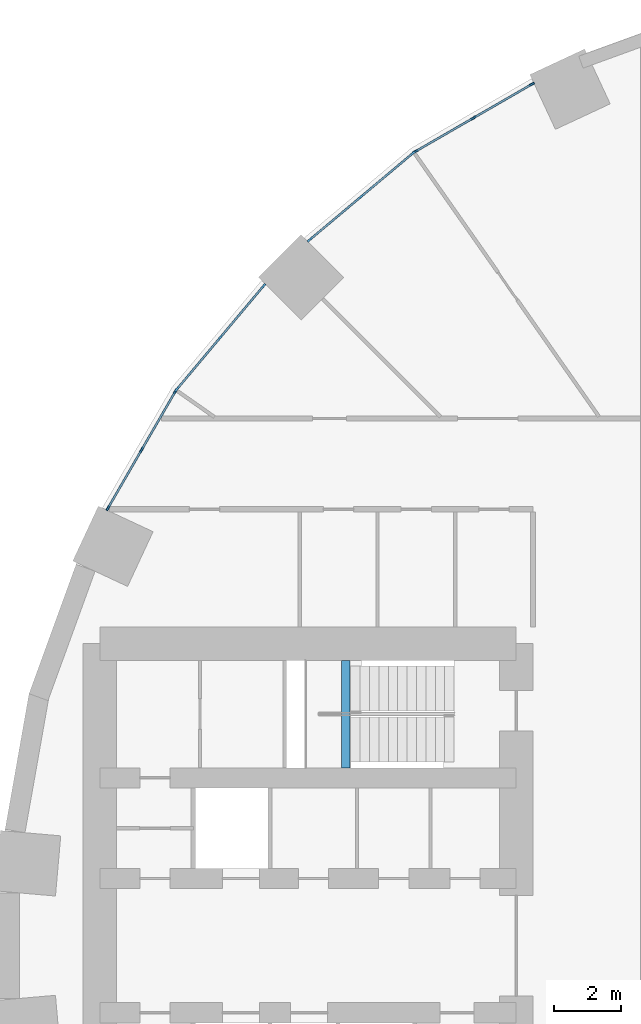
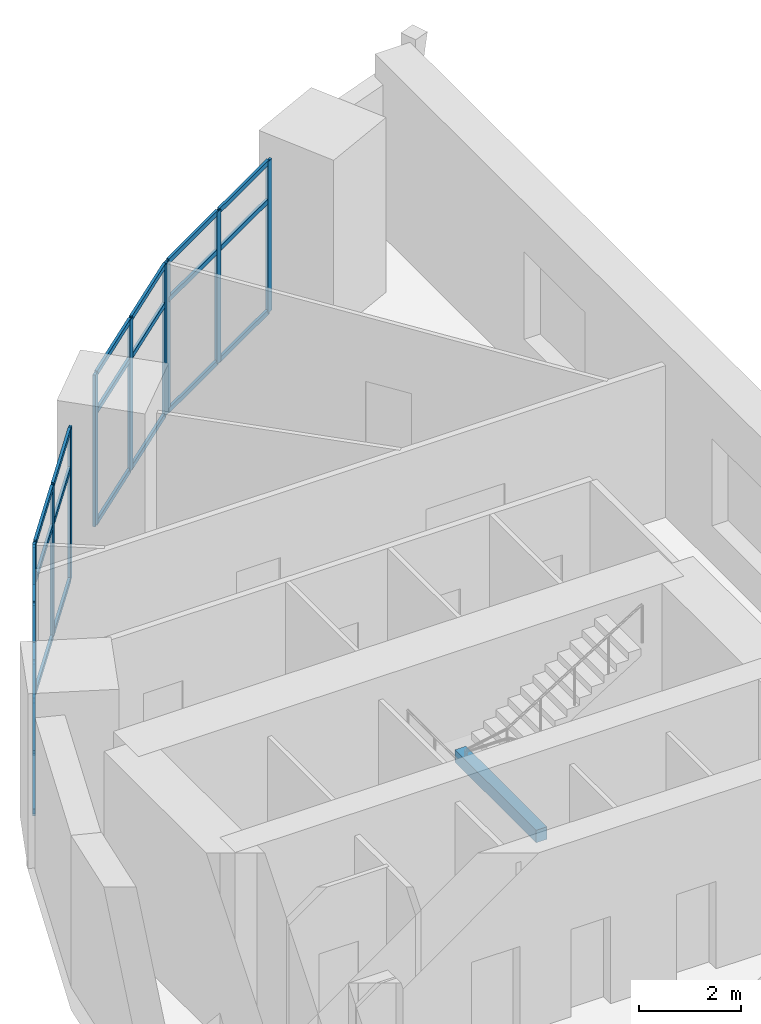
# One storey, part 4 of 13: 36 members, 1 beam, 4 elements without a shape of their own.
"""IFC4 building model written with IfcOpenShell, lengths in metres."""

import ifcopenshell
import ifcopenshell.guid

model = None  # the IFC model being written
_history = None  # IfcOwnerHistory: only IFC2X3 demands one
_inside = {}  # id of a spatial element -> (the spatial element, [elements in it])
_under = {}  # id of a project, library or spatial element -> (it, [spatial elements below it])
_declared = {}  # id of a project -> (the project, [libraries it declares])
_typed = {}  # id of a type object -> (the type object, [elements of that type])
_made_of = {}  # id of a material, layer set ... -> (it, [elements and type objects made of it])


def new_model(schema):
    """Start an empty IFC model of exactly this schema.

    Asked for "IFC4X3", IfcOpenShell would pick the latest addendum, in which some entities
    have other attributes; the version numbers below select the first issue.
    IFC2X3 requires an IfcOwnerHistory on every rooted entity: one is made here for all.
    """
    global model, _history
    if schema == "IFC4X3":
        model = ifcopenshell.file(schema_version=(4, 3, 0, 0))
    else:
        model = ifcopenshell.file(schema=schema)
    _inside.clear()
    _under.clear()
    _declared.clear()
    _typed.clear()
    _made_of.clear()
    _history = None
    if model.schema == "IFC2X3":
        org = make("IfcOrganization", Name="unknown")
        user = make(
            "IfcPersonAndOrganization",
            ThePerson=make("IfcPerson", FamilyName="unknown"),
            TheOrganization=org,
        )
        app = make(
            "IfcApplication",
            ApplicationDeveloper=org,
            Version="unknown",
            ApplicationFullName="unknown",
            ApplicationIdentifier="unknown",
        )
        _history = make(
            "IfcOwnerHistory",
            OwningUser=user,
            OwningApplication=app,
            ChangeAction="ADDED",
            CreationDate=0,
        )
    return model


def make(cls, **values):
    """One entity of the class cls with the attributes given. An attribute that is None is left unset."""
    return model.create_entity(
        cls, **{name: value for name, value in values.items() if value is not None}
    )


def rooted(cls, **values):
    """An entity with a GlobalId (a new one), such as an element, a storey or a relation."""
    return make(cls, GlobalId=ifcopenshell.guid.new(), OwnerHistory=_history, **values)


def si_unit(unit_type, name, prefix=None):
    """IfcSIUnit, for example si_unit("LENGTHUNIT", "METRE", prefix="MILLI")."""
    return make("IfcSIUnit", UnitType=unit_type, Prefix=prefix, Name=name)


def assignment(units):
    """IfcUnitAssignment: the units of a project."""
    return None if units is None else make("IfcUnitAssignment", Units=units)


def point(xyz):
    """IfcCartesianPoint."""
    return None if xyz is None else make("IfcCartesianPoint", Coordinates=xyz)


def direction(xyz):
    """IfcDirection."""
    return None if xyz is None else make("IfcDirection", DirectionRatios=xyz)


def frame(location, z_axis=None, x_axis=None):
    """IfcAxis2Placement3D, a coordinate frame: its origin and axes. An axis left out is left unset."""
    return make(
        "IfcAxis2Placement3D",
        Location=point(location),
        Axis=direction(z_axis),
        RefDirection=direction(x_axis),
    )


def frame_2d(location, x_axis=None):
    """IfcAxis2Placement2D, a coordinate frame in the plane: its origin and x axis."""
    return make(
        "IfcAxis2Placement2D", Location=point(location), RefDirection=direction(x_axis)
    )


def origin():
    """The frame at (0, 0, 0) with its axes left unset."""
    return frame((0.0, 0.0, 0.0))


def origin_2d():
    """The frame at (0, 0) in the plane with its x axis left unset."""
    return frame_2d((0.0, 0.0))


def place(relative_to, where):
    """IfcLocalPlacement: puts the frame where relative to a parent placement (None: the world)."""
    return make(
        "IfcLocalPlacement", PlacementRelTo=relative_to, RelativePlacement=where
    )


def context(
    kind, dimensions, precision=None, world=None, true_north=None, identifier=None
):
    """IfcGeometricRepresentationContext, for example the 3D "Model" context."""
    return make(
        "IfcGeometricRepresentationContext",
        ContextIdentifier=identifier,
        ContextType=kind,
        CoordinateSpaceDimension=dimensions,
        Precision=precision,
        WorldCoordinateSystem=world,
        TrueNorth=true_north,
    )


def subcontext(parent, identifier, kind, view, scale=None):
    """IfcGeometricRepresentationSubContext, for example "Body" below "Model"."""
    return make(
        "IfcGeometricRepresentationSubContext",
        ContextIdentifier=identifier,
        ContextType=kind,
        ParentContext=parent,
        TargetScale=scale,
        TargetView=view,
    )


def project(units=None, contexts=None):
    """IfcProject with its units and contexts."""
    return rooted(
        "IfcProject",
        Name="project",
        RepresentationContexts=contexts,
        UnitsInContext=assignment(units),
    )


def spatial(cls, under=None, at=None, **own):
    """A site, building, storey or space (cls), placed at a placement, below another one or the project."""
    s = rooted(cls, ObjectPlacement=at, **own)
    if under is not None:
        _under.setdefault(under.id(), (under, []))[1].append(s)
    return s


def profile(cls, at=None, kind="AREA", **sizes):
    """A parametric profile (cls). Its sizes go by their IFC names, for example OverallWidth=200.0."""
    return make(cls, ProfileType=kind, Position=at, **sizes)


def rectangle(**sizes):
    """IfcRectangleProfileDef."""
    return profile("IfcRectangleProfileDef", **sizes)


def extrude(swept, where, along, depth):
    """IfcExtrudedAreaSolid: the profile swept, set in the frame where, extruded along a direction by depth."""
    return make(
        "IfcExtrudedAreaSolid",
        SweptArea=swept,
        Position=where,
        ExtrudedDirection=direction(along),
        Depth=depth,
    )


def shape(context_of_items, identifier, shape_type, items):
    """IfcShapeRepresentation: the items that make up one representation, for example the "Body"."""
    return make(
        "IfcShapeRepresentation",
        ContextOfItems=context_of_items,
        RepresentationIdentifier=identifier,
        RepresentationType=shape_type,
        Items=items,
    )


def material(Name=None, Category=None):
    """IfcMaterial."""
    return make("IfcMaterial", Name=Name, Category=Category)


def layer(
    of_material, thickness, ventilated=None, Name=None, Category=None, Priority=None
):
    """IfcMaterialLayer: one layer of a wall or slab, of a material (None: an air gap)."""
    return make(
        "IfcMaterialLayer",
        Material=of_material,
        LayerThickness=thickness,
        IsVentilated=ventilated,
        Name=Name,
        Category=Category,
        Priority=Priority,
    )


def layer_set(layers, Name=None):
    """IfcMaterialLayerSet."""
    return make("IfcMaterialLayerSet", MaterialLayers=layers, LayerSetName=Name)


def material_profile(
    of_material, cross_section, Name=None, Category=None, Priority=None
):
    """IfcMaterialProfile: a cross section and its material."""
    return make(
        "IfcMaterialProfile",
        Name=Name,
        Material=of_material,
        Profile=cross_section,
        Priority=Priority,
        Category=Category,
    )


def profile_set(profiles, Name=None, composite=None):
    """IfcMaterialProfileSet."""
    return make(
        "IfcMaterialProfileSet",
        Name=Name,
        MaterialProfiles=profiles,
        CompositeProfile=composite,
    )


def made_of(thing, what):
    """Note that an element or type object is made of a material, layer set ...; save() writes the relation."""
    if what is not None:
        _made_of.setdefault(what.id(), (what, []))[1].append(thing)
    return thing


def type_object(cls, material=None, **own):
    """A type object (cls), such as IfcWallType, which elements share."""
    return made_of(rooted(cls, **own), material)


def element(
    cls,
    number,
    at=None,
    inside=None,
    cuts=None,
    type_object=None,
    material=None,
    context=None,
    identifier="Body",
    shape_type=None,
    held_by="IfcProductDefinitionShape",
    body=None,
    shapes=None,
    **own,
):
    """One element of the class cls, such as IfcWall. Its Tag is "e" and its number.

    at: its placement. inside: the storey or other place that contains it. cuts: it is an
    opening in that element (IfcRelVoidsElement). A single representation is given by context,
    identifier, shape_type and body (its items); several are given by shapes. held_by: the class
    of the entity that holds the representations. save() writes the other relations.
    """
    e = rooted(cls, Tag="e%d" % number, ObjectPlacement=at, **own)
    if body is not None:
        shapes = [shape(context, identifier, shape_type, body)]
    if shapes is not None:
        e.Representation = make(held_by, Representations=shapes)
    if inside is not None:
        _inside.setdefault(inside.id(), (inside, []))[1].append(e)
    if cuts is not None:
        rooted(
            "IfcRelVoidsElement", RelatingBuildingElement=cuts, RelatedOpeningElement=e
        )
    if type_object is not None:
        _typed.setdefault(type_object.id(), (type_object, []))[1].append(e)
    return made_of(e, material)


def aggregate(whole, parts):
    """IfcRelAggregates: a whole, such as a stair, and the parts it consists of."""
    return rooted("IfcRelAggregates", RelatingObject=whole, RelatedObjects=parts)


def save(model, path):
    """Write the relations noted so far, then the file.

    IfcRelAggregates (storeys below a building ...), IfcRelContainedInSpatialStructure (elements
    in a storey), IfcRelDefinesByType, IfcRelAssociatesMaterial and IfcRelDeclares: one each for
    every whole, place, type object, material and project.
    """
    for whole, parts in _under.values():
        aggregate(whole, parts)
    for where, things in _inside.values():
        rooted(
            "IfcRelContainedInSpatialStructure",
            RelatedElements=things,
            RelatingStructure=where,
        )
    for kind, things in _typed.values():
        rooted("IfcRelDefinesByType", RelatedObjects=things, RelatingType=kind)
    for what, things in _made_of.values():
        rooted("IfcRelAssociatesMaterial", RelatedObjects=things, RelatingMaterial=what)
    for by, libraries in _declared.values():
        rooted("IfcRelDeclares", RelatingContext=by, RelatedDefinitions=libraries)
    model.write(path)


model = new_model("IFC4")

# Units and contexts
model_context = context("Model", 3, precision=1e-05, world=origin(), true_north=direction((0.0, 1.0)))
body_context = subcontext(model_context, "Body", "Model", "MODEL_VIEW")
ifc_project = project(units=[si_unit("LENGTHUNIT", "METRE"), si_unit("AREAUNIT", "SQUARE_METRE"), si_unit("VOLUMEUNIT", "CUBIC_METRE"), si_unit("PLANEANGLEUNIT", "RADIAN"), si_unit("MASSUNIT", "GRAM", prefix="KILO")], contexts=[model_context])

# Site, building, storey
site_placement = place(None, origin())
site = spatial("IfcSite", under=ifc_project, at=site_placement, CompositionType="ELEMENT")
building_placement = place(site_placement, origin())
building = spatial("IfcBuilding", under=site, at=building_placement, Name="Saqina Gate Tower", CompositionType="ELEMENT")
storey_placement = place(building_placement, frame((0.0, 0.0, 5.0)))
storey = spatial("IfcBuildingStorey", under=building, at=storey_placement, Name="L01", CompositionType="ELEMENT", Elevation=5.0)

# Curtain wall, members
ifc_material_1 = material(Name="Aluminium glazing", Category="aluminium")
ifc_layer = layer(ifc_material_1, 0.159912109375)
ifc_layer_set = layer_set([ifc_layer], Name="CWT-1")
curtain_wall_type = type_object("IfcCurtainWallType", Name="CWT-1", PredefinedType="NOTDEFINED", material=ifc_layer_set)
curtain_wall_1_placement = place(storey_placement, origin())
curtain_wall_1 = element("IfcCurtainWall", 1, at=curtain_wall_1_placement, inside=storey, type_object=curtain_wall_type, Name="Podium shopfront facet 12", PredefinedType="NOTDEFINED")
ifc_material_2 = material(Name="Aluminium", Category="aluminium")
ifc_material_profile_1 = material_profile(ifc_material_2, rectangle(XDim=0.06005859375, YDim=0.159912109375, at=origin_2d()), Name="Aluminium 60x160")
ifc_profile_set_1 = profile_set([ifc_material_profile_1], Name="Aluminium")
member_type_1 = type_object("IfcMemberType", Name="CWT-1M", PredefinedType="MULLION", material=ifc_profile_set_1)
member_1_placement = place(storey_placement, frame((-13.03466796875, 25.66015625, 0.0), z_axis=(0.0, 0.0, 1.0), x_axis=(0.500013894893, -0.866017381415, 0.0)))
member_1 = element("IfcMember", 2, at=member_1_placement, type_object=member_type_1, Name="CW1-12 mullion 1", PredefinedType="MULLION", context=body_context, shape_type="SweptSolid", body=[
    extrude(rectangle(XDim=0.06005859375, YDim=0.159912109375, at=origin_2d()), origin(), (0.0, 0.0, 1.0), 3.64990234375),
])
member_2_placement = place(storey_placement, frame((-14.770751953125, 24.65771484375, 0.0), z_axis=(0.0, 0.0, 1.0), x_axis=(0.500013894893, -0.866017381415, 0.0)))
member_2 = element("IfcMember", 3, at=member_2_placement, type_object=member_type_1, Name="CW1-12 mullion 2", PredefinedType="MULLION", context=body_context, shape_type="SweptSolid", body=[
    extrude(rectangle(XDim=0.06005859375, YDim=0.159912109375, at=origin_2d()), origin(), (0.0, 0.0, 1.0), 3.64990234375),
])
member_3_placement = place(storey_placement, frame((-16.5068359375, 23.655517578125, 0.0), z_axis=(0.0, 0.0, 1.0), x_axis=(0.500013894893, -0.866017381415, 0.0)))
member_3 = element("IfcMember", 4, at=member_3_placement, type_object=member_type_1, Name="CW1-12 mullion 3", PredefinedType="MULLION", context=body_context, shape_type="SweptSolid", body=[
    extrude(rectangle(XDim=0.06005859375, YDim=0.159912109375, at=origin_2d()), origin(), (0.0, 0.0, 1.0), 3.64990234375),
])

curtain_wall_2_placement = place(storey_placement, origin())
curtain_wall_2 = element("IfcCurtainWall", 5, at=curtain_wall_2_placement, inside=storey, type_object=curtain_wall_type, Name="Podium shopfront facet 13", PredefinedType="NOTDEFINED")
member_4_placement = place(storey_placement, frame((-16.583251953125, 23.601806640625, 0.0), z_axis=(0.0, 0.0, 1.0), x_axis=(0.642779322911, -0.766051396473, 0.0)))
member_4 = element("IfcMember", 6, at=member_4_placement, type_object=member_type_1, Name="CW1-13 mullion 1", PredefinedType="MULLION", context=body_context, shape_type="SweptSolid", body=[
    extrude(rectangle(XDim=0.06005859375, YDim=0.159912109375, at=origin_2d()), origin(), (0.0, 0.0, 1.0), 3.64990234375),
])
member_5_placement = place(storey_placement, frame((-18.118896484375, 22.3134765625, 0.0), z_axis=(0.0, 0.0, 1.0), x_axis=(0.642779322911, -0.766051396473, 0.0)))
member_5 = element("IfcMember", 7, at=member_5_placement, type_object=member_type_1, Name="CW1-13 mullion 2", PredefinedType="MULLION", context=body_context, shape_type="SweptSolid", body=[
    extrude(rectangle(XDim=0.06005859375, YDim=0.159912109375, at=origin_2d()), origin(), (0.0, 0.0, 1.0), 3.64990234375),
])
member_6_placement = place(storey_placement, frame((-19.654296875, 21.02490234375, 0.0), z_axis=(0.0, 0.0, 1.0), x_axis=(0.642779322911, -0.766051396473, 0.0)))
member_6 = element("IfcMember", 8, at=member_6_placement, type_object=member_type_1, Name="CW1-13 mullion 3", PredefinedType="MULLION", context=body_context, shape_type="SweptSolid", body=[
    extrude(rectangle(XDim=0.06005859375, YDim=0.159912109375, at=origin_2d()), origin(), (0.0, 0.0, 1.0), 3.64990234375),
])

curtain_wall_3_placement = place(storey_placement, origin())
curtain_wall_3 = element("IfcCurtainWall", 9, at=curtain_wall_3_placement, inside=storey, type_object=curtain_wall_type, Name="Podium shopfront facet 14", PredefinedType="NOTDEFINED")
member_7_placement = place(storey_placement, frame((-21.02490234375, 19.654296875, 0.0), z_axis=(0.0, 0.0, 1.0), x_axis=(0.766051396473, -0.642779322911, 0.0)))
member_7 = element("IfcMember", 10, at=member_7_placement, type_object=member_type_1, Name="CW1-14 mullion 1", PredefinedType="MULLION", context=body_context, shape_type="SweptSolid", body=[
    extrude(rectangle(XDim=0.06005859375, YDim=0.159912109375, at=origin_2d()), origin(), (0.0, 0.0, 1.0), 3.64990234375),
])
member_8_placement = place(storey_placement, frame((-22.3134765625, 18.118896484375, 0.0), z_axis=(0.0, 0.0, 1.0), x_axis=(0.766051396473, -0.642779322911, 0.0)))
member_8 = element("IfcMember", 11, at=member_8_placement, type_object=member_type_1, Name="CW1-14 mullion 2", PredefinedType="MULLION", context=body_context, shape_type="SweptSolid", body=[
    extrude(rectangle(XDim=0.06005859375, YDim=0.159912109375, at=origin_2d()), origin(), (0.0, 0.0, 1.0), 3.64990234375),
])
member_9_placement = place(storey_placement, frame((-23.601806640625, 16.583251953125, 0.0), z_axis=(0.0, 0.0, 1.0), x_axis=(0.766051396473, -0.642779322911, 0.0)))
member_9 = element("IfcMember", 12, at=member_9_placement, type_object=member_type_1, Name="CW1-14 mullion 3", PredefinedType="MULLION", context=body_context, shape_type="SweptSolid", body=[
    extrude(rectangle(XDim=0.06005859375, YDim=0.159912109375, at=origin_2d()), origin(), (0.0, 0.0, 1.0), 3.64990234375),
])

curtain_wall_4_placement = place(storey_placement, origin())
curtain_wall_4 = element("IfcCurtainWall", 13, at=curtain_wall_4_placement, inside=storey, type_object=curtain_wall_type, Name="Podium shopfront facet 15", PredefinedType="NOTDEFINED")
member_10_placement = place(storey_placement, frame((-23.655517578125, 16.5068359375, 0.0), z_axis=(0.0, 0.0, 1.0), x_axis=(0.866017381415, -0.500013894893, 0.0)))
member_10 = element("IfcMember", 14, at=member_10_placement, type_object=member_type_1, Name="CW1-15 mullion 1", PredefinedType="MULLION", context=body_context, shape_type="SweptSolid", body=[
    extrude(rectangle(XDim=0.06005859375, YDim=0.159912109375, at=origin_2d()), origin(), (0.0, 0.0, 1.0), 3.64990234375),
])
member_11_placement = place(storey_placement, frame((-24.65771484375, 14.770751953125, 0.0), z_axis=(0.0, 0.0, 1.0), x_axis=(0.866017381415, -0.500013894893, 0.0)))
member_11 = element("IfcMember", 15, at=member_11_placement, type_object=member_type_1, Name="CW1-15 mullion 2", PredefinedType="MULLION", context=body_context, shape_type="SweptSolid", body=[
    extrude(rectangle(XDim=0.06005859375, YDim=0.159912109375, at=origin_2d()), origin(), (0.0, 0.0, 1.0), 3.64990234375),
])
member_12_placement = place(storey_placement, frame((-25.66015625, 13.03466796875, 0.0), z_axis=(0.0, 0.0, 1.0), x_axis=(0.866017381415, -0.500013894893, 0.0)))
member_12 = element("IfcMember", 16, at=member_12_placement, type_object=member_type_1, Name="CW1-15 mullion 3", PredefinedType="MULLION", context=body_context, shape_type="SweptSolid", body=[
    extrude(rectangle(XDim=0.06005859375, YDim=0.159912109375, at=origin_2d()), origin(), (0.0, 0.0, 1.0), 3.64990234375),
])

# Member
ifc_material_3 = material(Name="Aluminium", Category="aluminium")
ifc_material_profile_2 = material_profile(ifc_material_3, rectangle(XDim=0.06005859375, YDim=0.1201171875, at=origin_2d()), Name="Aluminium 60x120")
ifc_profile_set_2 = profile_set([ifc_material_profile_2], Name="Aluminium")
member_type_2 = type_object("IfcMemberType", Name="CWT-1T", PredefinedType="USERDEFINED", material=ifc_profile_set_2)
member_13_placement = place(storey_placement, frame((-13.060791015625, 25.64501953125, 0.030029296875), z_axis=(-0.866055964107, -0.499947064232, 0.0), x_axis=(0.499947064232, -0.866055964107, 0.0)))
member_13 = element("IfcMember", 17, at=member_13_placement, type_object=member_type_2, Name="CW1-12 transom 1.1", ObjectType="TRANSOM", PredefinedType="USERDEFINED", context=body_context, shape_type="SweptSolid", body=[
    extrude(rectangle(XDim=0.06005859375, YDim=0.1201171875, at=origin_2d()), origin(), (0.0, 0.0, 1.0), 1.944580078125),
])

member_14_placement = place(storey_placement, frame((-13.060791015625, 25.64501953125, 2.699951171875), z_axis=(-0.866055964107, -0.499947064232, 0.0), x_axis=(0.499947064232, -0.866055964107, 0.0)))
member_14 = element("IfcMember", 18, at=member_14_placement, type_object=member_type_2, Name="CW1-12 transom 1.2", ObjectType="TRANSOM", PredefinedType="USERDEFINED", context=body_context, shape_type="SweptSolid", body=[
    extrude(rectangle(XDim=0.06005859375, YDim=0.1201171875, at=origin_2d()), origin(), (0.0, 0.0, 1.0), 1.944580078125),
])

member_15_placement = place(storey_placement, frame((-13.060791015625, 25.64501953125, 3.6201171875), z_axis=(-0.866055964107, -0.499947064232, 0.0), x_axis=(0.499947064232, -0.866055964107, 0.0)))
member_15 = element("IfcMember", 19, at=member_15_placement, type_object=member_type_2, Name="CW1-12 transom 1.3", ObjectType="TRANSOM", PredefinedType="USERDEFINED", context=body_context, shape_type="SweptSolid", body=[
    extrude(rectangle(XDim=0.06005859375, YDim=0.1201171875, at=origin_2d()), origin(), (0.0, 0.0, 1.0), 1.944580078125),
])

member_16_placement = place(storey_placement, frame((-14.796630859375, 24.642822265625, 0.030029296875), z_axis=(-0.866001600736, -0.500041225824, 0.0), x_axis=(0.500041225824, -0.866001600736, 0.0)))
member_16 = element("IfcMember", 20, at=member_16_placement, type_object=member_type_2, Name="CW1-12 transom 2.1", ObjectType="TRANSOM", PredefinedType="USERDEFINED", context=body_context, shape_type="SweptSolid", body=[
    extrude(rectangle(XDim=0.06005859375, YDim=0.1201171875, at=origin_2d()), origin(), (0.0, 0.0, 1.0), 1.944580078125),
])

member_17_placement = place(storey_placement, frame((-14.796630859375, 24.642822265625, 2.699951171875), z_axis=(-0.866001600736, -0.500041225824, 0.0), x_axis=(0.500041225824, -0.866001600736, 0.0)))
member_17 = element("IfcMember", 21, at=member_17_placement, type_object=member_type_2, Name="CW1-12 transom 2.2", ObjectType="TRANSOM", PredefinedType="USERDEFINED", context=body_context, shape_type="SweptSolid", body=[
    extrude(rectangle(XDim=0.06005859375, YDim=0.1201171875, at=origin_2d()), origin(), (0.0, 0.0, 1.0), 1.944580078125),
])

member_18_placement = place(storey_placement, frame((-14.796630859375, 24.642822265625, 3.6201171875), z_axis=(-0.866001600736, -0.500041225824, 0.0), x_axis=(0.500041225824, -0.866001600736, 0.0)))
member_18 = element("IfcMember", 22, at=member_18_placement, type_object=member_type_2, Name="CW1-12 transom 2.3", ObjectType="TRANSOM", PredefinedType="USERDEFINED", context=body_context, shape_type="SweptSolid", body=[
    extrude(rectangle(XDim=0.06005859375, YDim=0.1201171875, at=origin_2d()), origin(), (0.0, 0.0, 1.0), 1.944580078125),
])

aggregate(curtain_wall_1, [member_1, member_2, member_3, member_13, member_14, member_15, member_16, member_17, member_18])

member_19_placement = place(storey_placement, frame((-16.606201171875, 23.58251953125, 0.030029296875), z_axis=(-0.766117756196, -0.642700228444, 0.0), x_axis=(0.642700228444, -0.766117756196, 0.0)))
member_19 = element("IfcMember", 23, at=member_19_placement, type_object=member_type_2, Name="CW1-13 transom 1.1", ObjectType="TRANSOM", PredefinedType="USERDEFINED", context=body_context, shape_type="SweptSolid", body=[
    extrude(rectangle(XDim=0.06005859375, YDim=0.1201171875, at=origin_2d()), origin(), (0.0, 0.0, 1.0), 1.944580078125),
])

member_20_placement = place(storey_placement, frame((-16.606201171875, 23.58251953125, 2.699951171875), z_axis=(-0.766117756196, -0.642700228444, 0.0), x_axis=(0.642700228444, -0.766117756196, 0.0)))
member_20 = element("IfcMember", 24, at=member_20_placement, type_object=member_type_2, Name="CW1-13 transom 1.2", ObjectType="TRANSOM", PredefinedType="USERDEFINED", context=body_context, shape_type="SweptSolid", body=[
    extrude(rectangle(XDim=0.06005859375, YDim=0.1201171875, at=origin_2d()), origin(), (0.0, 0.0, 1.0), 1.944580078125),
])

member_21_placement = place(storey_placement, frame((-16.606201171875, 23.58251953125, 3.6201171875), z_axis=(-0.766117756196, -0.642700228444, 0.0), x_axis=(0.642700228444, -0.766117756196, 0.0)))
member_21 = element("IfcMember", 25, at=member_21_placement, type_object=member_type_2, Name="CW1-13 transom 1.3", ObjectType="TRANSOM", PredefinedType="USERDEFINED", context=body_context, shape_type="SweptSolid", body=[
    extrude(rectangle(XDim=0.06005859375, YDim=0.1201171875, at=origin_2d()), origin(), (0.0, 0.0, 1.0), 1.944580078125),
])

member_22_placement = place(storey_placement, frame((-18.141845703125, 22.294189453125, 0.030029296875), z_axis=(-0.76600406177, -0.642835731235, 0.0), x_axis=(0.642835731235, -0.76600406177, 0.0)))
member_22 = element("IfcMember", 26, at=member_22_placement, type_object=member_type_2, Name="CW1-13 transom 2.1", ObjectType="TRANSOM", PredefinedType="USERDEFINED", context=body_context, shape_type="SweptSolid", body=[
    extrude(rectangle(XDim=0.06005859375, YDim=0.1201171875, at=origin_2d()), origin(), (0.0, 0.0, 1.0), 1.944580078125),
])

member_23_placement = place(storey_placement, frame((-18.141845703125, 22.294189453125, 2.699951171875), z_axis=(-0.76600406177, -0.642835731235, 0.0), x_axis=(0.642835731235, -0.76600406177, 0.0)))
member_23 = element("IfcMember", 27, at=member_23_placement, type_object=member_type_2, Name="CW1-13 transom 2.2", ObjectType="TRANSOM", PredefinedType="USERDEFINED", context=body_context, shape_type="SweptSolid", body=[
    extrude(rectangle(XDim=0.06005859375, YDim=0.1201171875, at=origin_2d()), origin(), (0.0, 0.0, 1.0), 1.944580078125),
])

member_24_placement = place(storey_placement, frame((-18.141845703125, 22.294189453125, 3.6201171875), z_axis=(-0.76600406177, -0.642835731235, 0.0), x_axis=(0.642835731235, -0.76600406177, 0.0)))
member_24 = element("IfcMember", 28, at=member_24_placement, type_object=member_type_2, Name="CW1-13 transom 2.3", ObjectType="TRANSOM", PredefinedType="USERDEFINED", context=body_context, shape_type="SweptSolid", body=[
    extrude(rectangle(XDim=0.06005859375, YDim=0.1201171875, at=origin_2d()), origin(), (0.0, 0.0, 1.0), 1.944580078125),
])

aggregate(curtain_wall_2, [member_4, member_5, member_6, member_19, member_20, member_21, member_22, member_23, member_24])

member_25_placement = place(storey_placement, frame((-21.044189453125, 19.63134765625, 0.030029296875), z_axis=(-0.642835731235, -0.76600406177, 0.0), x_axis=(0.76600406177, -0.642835731235, 0.0)))
member_25 = element("IfcMember", 29, at=member_25_placement, type_object=member_type_2, Name="CW1-14 transom 1.1", ObjectType="TRANSOM", PredefinedType="USERDEFINED", context=body_context, shape_type="SweptSolid", body=[
    extrude(rectangle(XDim=0.06005859375, YDim=0.1201171875, at=origin_2d()), origin(), (0.0, 0.0, 1.0), 1.944580078125),
])

member_26_placement = place(storey_placement, frame((-21.044189453125, 19.63134765625, 2.699951171875), z_axis=(-0.642835731235, -0.76600406177, 0.0), x_axis=(0.76600406177, -0.642835731235, 0.0)))
member_26 = element("IfcMember", 30, at=member_26_placement, type_object=member_type_2, Name="CW1-14 transom 1.2", ObjectType="TRANSOM", PredefinedType="USERDEFINED", context=body_context, shape_type="SweptSolid", body=[
    extrude(rectangle(XDim=0.06005859375, YDim=0.1201171875, at=origin_2d()), origin(), (0.0, 0.0, 1.0), 1.944580078125),
])

member_27_placement = place(storey_placement, frame((-21.044189453125, 19.63134765625, 3.6201171875), z_axis=(-0.642835731235, -0.76600406177, 0.0), x_axis=(0.76600406177, -0.642835731235, 0.0)))
member_27 = element("IfcMember", 31, at=member_27_placement, type_object=member_type_2, Name="CW1-14 transom 1.3", ObjectType="TRANSOM", PredefinedType="USERDEFINED", context=body_context, shape_type="SweptSolid", body=[
    extrude(rectangle(XDim=0.06005859375, YDim=0.1201171875, at=origin_2d()), origin(), (0.0, 0.0, 1.0), 1.944580078125),
])

member_28_placement = place(storey_placement, frame((-22.332763671875, 18.095947265625, 0.030029296875), z_axis=(-0.642700228444, -0.766117756196, 0.0), x_axis=(0.766117756196, -0.642700228444, 0.0)))
member_28 = element("IfcMember", 32, at=member_28_placement, type_object=member_type_2, Name="CW1-14 transom 2.1", ObjectType="TRANSOM", PredefinedType="USERDEFINED", context=body_context, shape_type="SweptSolid", body=[
    extrude(rectangle(XDim=0.06005859375, YDim=0.1201171875, at=origin_2d()), origin(), (0.0, 0.0, 1.0), 1.944580078125),
])

member_29_placement = place(storey_placement, frame((-22.332763671875, 18.095947265625, 2.699951171875), z_axis=(-0.642700228444, -0.766117756196, 0.0), x_axis=(0.766117756196, -0.642700228444, 0.0)))
member_29 = element("IfcMember", 33, at=member_29_placement, type_object=member_type_2, Name="CW1-14 transom 2.2", ObjectType="TRANSOM", PredefinedType="USERDEFINED", context=body_context, shape_type="SweptSolid", body=[
    extrude(rectangle(XDim=0.06005859375, YDim=0.1201171875, at=origin_2d()), origin(), (0.0, 0.0, 1.0), 1.944580078125),
])

member_30_placement = place(storey_placement, frame((-22.332763671875, 18.095947265625, 3.6201171875), z_axis=(-0.642700228444, -0.766117756196, 0.0), x_axis=(0.766117756196, -0.642700228444, 0.0)))
member_30 = element("IfcMember", 34, at=member_30_placement, type_object=member_type_2, Name="CW1-14 transom 2.3", ObjectType="TRANSOM", PredefinedType="USERDEFINED", context=body_context, shape_type="SweptSolid", body=[
    extrude(rectangle(XDim=0.06005859375, YDim=0.1201171875, at=origin_2d()), origin(), (0.0, 0.0, 1.0), 1.944580078125),
])

aggregate(curtain_wall_3, [member_7, member_8, member_9, member_25, member_26, member_27, member_28, member_29, member_30])

member_31_placement = place(storey_placement, frame((-23.67041015625, 16.480712890625, 0.030029296875), z_axis=(-0.500041225824, -0.866001600736, 0.0), x_axis=(0.866001600736, -0.500041225824, 0.0)))
member_31 = element("IfcMember", 35, at=member_31_placement, type_object=member_type_2, Name="CW1-15 transom 1.1", ObjectType="TRANSOM", PredefinedType="USERDEFINED", context=body_context, shape_type="SweptSolid", body=[
    extrude(rectangle(XDim=0.06005859375, YDim=0.1201171875, at=origin_2d()), origin(), (0.0, 0.0, 1.0), 1.944580078125),
])

member_32_placement = place(storey_placement, frame((-23.67041015625, 16.480712890625, 2.699951171875), z_axis=(-0.500041225824, -0.866001600736, 0.0), x_axis=(0.866001600736, -0.500041225824, 0.0)))
member_32 = element("IfcMember", 36, at=member_32_placement, type_object=member_type_2, Name="CW1-15 transom 1.2", ObjectType="TRANSOM", PredefinedType="USERDEFINED", context=body_context, shape_type="SweptSolid", body=[
    extrude(rectangle(XDim=0.06005859375, YDim=0.1201171875, at=origin_2d()), origin(), (0.0, 0.0, 1.0), 1.944580078125),
])

member_33_placement = place(storey_placement, frame((-23.67041015625, 16.480712890625, 3.6201171875), z_axis=(-0.500041225824, -0.866001600736, 0.0), x_axis=(0.866001600736, -0.500041225824, 0.0)))
member_33 = element("IfcMember", 37, at=member_33_placement, type_object=member_type_2, Name="CW1-15 transom 1.3", ObjectType="TRANSOM", PredefinedType="USERDEFINED", context=body_context, shape_type="SweptSolid", body=[
    extrude(rectangle(XDim=0.06005859375, YDim=0.1201171875, at=origin_2d()), origin(), (0.0, 0.0, 1.0), 1.944580078125),
])

member_34_placement = place(storey_placement, frame((-24.6728515625, 14.744873046875, 0.030029296875), z_axis=(-0.499947064232, -0.866055964107, 0.0), x_axis=(0.866055964107, -0.499947064232, 0.0)))
member_34 = element("IfcMember", 38, at=member_34_placement, type_object=member_type_2, Name="CW1-15 transom 2.1", ObjectType="TRANSOM", PredefinedType="USERDEFINED", context=body_context, shape_type="SweptSolid", body=[
    extrude(rectangle(XDim=0.06005859375, YDim=0.1201171875, at=origin_2d()), origin(), (0.0, 0.0, 1.0), 1.944580078125),
])

member_35_placement = place(storey_placement, frame((-24.6728515625, 14.744873046875, 2.699951171875), z_axis=(-0.499947064232, -0.866055964107, 0.0), x_axis=(0.866055964107, -0.499947064232, 0.0)))
member_35 = element("IfcMember", 39, at=member_35_placement, type_object=member_type_2, Name="CW1-15 transom 2.2", ObjectType="TRANSOM", PredefinedType="USERDEFINED", context=body_context, shape_type="SweptSolid", body=[
    extrude(rectangle(XDim=0.06005859375, YDim=0.1201171875, at=origin_2d()), origin(), (0.0, 0.0, 1.0), 1.944580078125),
])

member_36_placement = place(storey_placement, frame((-24.6728515625, 14.744873046875, 3.6201171875), z_axis=(-0.499947064232, -0.866055964107, 0.0), x_axis=(0.866055964107, -0.499947064232, 0.0)))
member_36 = element("IfcMember", 40, at=member_36_placement, type_object=member_type_2, Name="CW1-15 transom 2.3", ObjectType="TRANSOM", PredefinedType="USERDEFINED", context=body_context, shape_type="SweptSolid", body=[
    extrude(rectangle(XDim=0.06005859375, YDim=0.1201171875, at=origin_2d()), origin(), (0.0, 0.0, 1.0), 1.944580078125),
])

aggregate(curtain_wall_4, [member_10, member_11, member_12, member_31, member_32, member_33, member_34, member_35, member_36])

# Beam
ifc_material_4 = material(Name="Concrete C40/50", Category="concrete")
ifc_material_profile_3 = material_profile(ifc_material_4, rectangle(XDim=0.25, YDim=0.300048828125, at=origin_2d()), Name="STAIR LANDING BEAM")
ifc_profile_set_3 = profile_set([ifc_material_profile_3], Name="Concrete C40/50")
beam_type = type_object("IfcBeamType", Name="STAIR LANDING BEAM", PredefinedType="BEAM", material=ifc_profile_set_3)
beam_placement = place(storey_placement, frame((-18.580078125, 5.300048828125, 1.699951171875), z_axis=(0.0, 1.0, 0.0), x_axis=(-1.0, 0.0, 0.0)))
element("IfcBeam", 41, at=beam_placement, inside=storey, type_object=beam_type, Name="EXIT STAIR 3 LANDING BEAM", PredefinedType="BEAM", context=body_context, shape_type="SweptSolid", body=[
    extrude(rectangle(XDim=0.25, YDim=0.300048828125, at=origin_2d()), origin(), (0.0, 0.0, 1.0), 3.199951171875),
])

save(model, "model.ifc")
